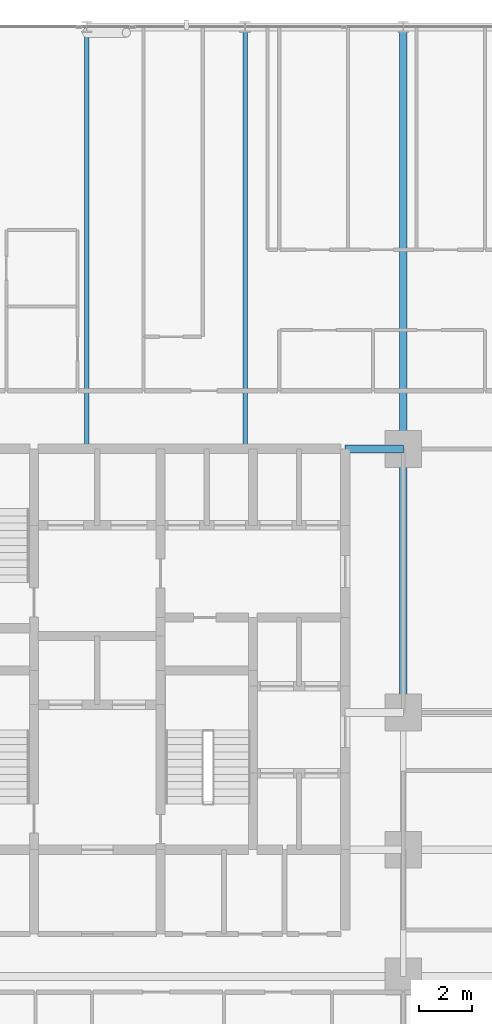
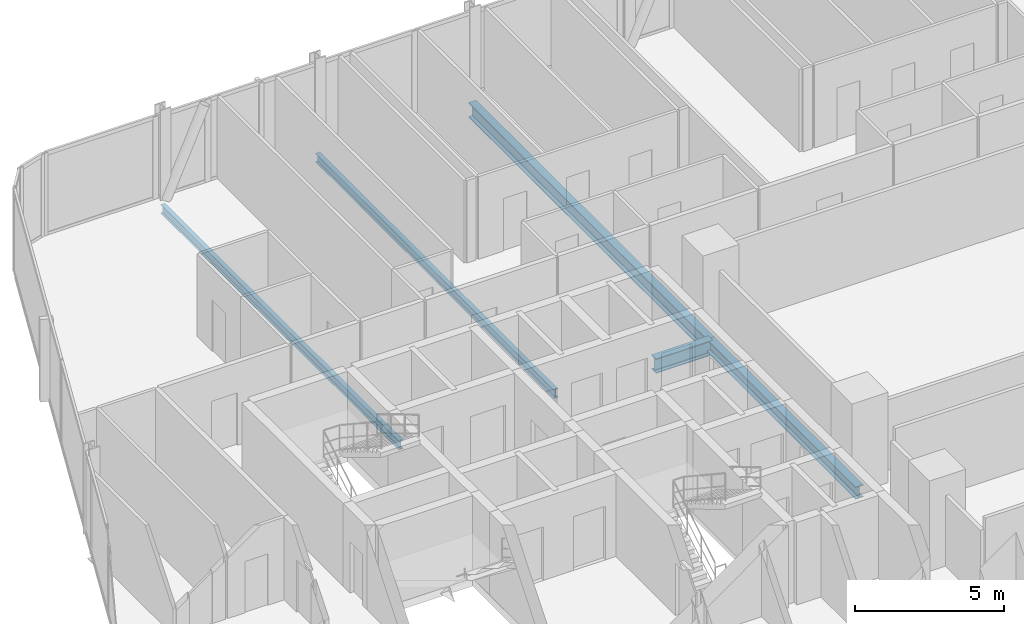
# One storey, part 12 of 34: 5 beams.
"""IFC4 building model written with IfcOpenShell, lengths in metres."""

from ifc_helpers import new_model, si_unit, direction, frame, origin, origin_2d, place, context, subcontext, project, spatial, i_section, extrude, material, material_profile, profile_set, type_object, element, save


model = new_model("IFC4")

# Units and contexts
model_context = context("Model", 3, precision=1e-05, world=origin(), true_north=direction((0.0, 1.0)))
body_context = subcontext(model_context, "Body", "Model", "MODEL_VIEW")
ifc_project = project(units=[si_unit("LENGTHUNIT", "METRE"), si_unit("AREAUNIT", "SQUARE_METRE"), si_unit("VOLUMEUNIT", "CUBIC_METRE"), si_unit("PLANEANGLEUNIT", "RADIAN"), si_unit("MASSUNIT", "GRAM", prefix="KILO")], contexts=[model_context])

# Site, building, storey
site_placement = place(None, origin())
site = spatial("IfcSite", under=ifc_project, at=site_placement, CompositionType="ELEMENT")
building_placement = place(site_placement, origin())
building = spatial("IfcBuilding", under=site, at=building_placement, Name="Keshet Zoharim Tower", CompositionType="ELEMENT")
storey_placement = place(building_placement, frame((0.0, 0.0, 38.800048828125)))
storey = spatial("IfcBuildingStorey", under=building, at=storey_placement, Name="L08", CompositionType="ELEMENT", Elevation=38.800048828125)

# Beams
ifc_material = material(Name="Steel S355", Category="steel")
ifc_material_profile_1 = material_profile(ifc_material, i_section(OverallWidth=0.300048828125, OverallDepth=0.60009765625, WebThickness=0.015380859375, FlangeThickness=0.030029296875, FilletRadius=0.027099609375, at=origin_2d()), Name="HEB600")
ifc_profile_set_1 = profile_set([ifc_material_profile_1], Name="Steel S355")
beam_type_1 = type_object("IfcBeamType", Name="BM-CLK-HB600", PredefinedType="BEAM", material=ifc_profile_set_1)
beam_1_placement = place(storey_placement, frame((30.800048828125, 37.89990234375, -0.614990234375), z_axis=(1.0, 0.0, 0.0), x_axis=(0.0, 1.0, 0.0)))
element("IfcBeam", 1, at=beam_1_placement, inside=storey, type_object=beam_type_1, Name="L08 Core Wall Link Girder 03", PredefinedType="BEAM", context=body_context, shape_type="SweptSolid", body=[
    extrude(i_section(OverallWidth=0.300048828125, OverallDepth=0.60009765625, WebThickness=0.015380859375, FlangeThickness=0.030029296875, FilletRadius=0.027099609375, at=origin_2d()), origin(), (0.0, 0.0, 1.0), 2.199951171875),
])
ifc_material_profile_2 = material_profile(ifc_material, i_section(OverallWidth=0.169921875, OverallDepth=0.360107421875, WebThickness=0.008056640625, FlangeThickness=0.0126953125, FilletRadius=0.01806640625, at=origin_2d()), Name="IPE360")
ifc_profile_set_2 = profile_set([ifc_material_profile_2], Name="Steel S355")
beam_type_2 = type_object("IfcBeamType", Name="BM-JST-IP360", PredefinedType="JOIST", material=ifc_profile_set_2)
for number, where, z_axis, x_axis, name in (
    (2, (21.0, 37.89990234375, -0.4951171875), (0.0, 1.0, 0.0), (-1.0, 0.0, 0.0), "L08 Secondary Floor Joist J-001"),
    (3, (27.0, 37.89990234375, -0.4951171875), (0.0, 1.0, 0.0), (-1.0, 0.0, 0.0), "L08 Secondary Floor Joist J-002"),
):
    element("IfcBeam", number, at=place(storey_placement, frame(where, z_axis=z_axis, x_axis=x_axis)), inside=storey, type_object=beam_type_2, Name=name, PredefinedType="JOIST", context=body_context, shape_type="SweptSolid", body=[
        extrude(i_section(OverallWidth=0.169921875, OverallDepth=0.360107421875, WebThickness=0.008056640625, FlangeThickness=0.0126953125, FilletRadius=0.01806640625, at=origin_2d()), origin(), (0.0, 0.0, 1.0), 16.0),
    ])
ifc_material_profile_3 = material_profile(ifc_material, i_section(OverallWidth=0.300048828125, OverallDepth=0.60009765625, WebThickness=0.015380859375, FlangeThickness=0.030029296875, FilletRadius=0.027099609375, at=origin_2d()), Name="HEB600")
ifc_profile_set_3 = profile_set([ifc_material_profile_3], Name="Steel S355")
beam_type_3 = type_object("IfcBeamType", Name="BM-LNG-HB600", PredefinedType="BEAM", material=ifc_profile_set_3)
beam_2_placement = place(storey_placement, frame((33.0, 37.89990234375, -0.614990234375), z_axis=(0.0, 1.0, 0.0), x_axis=(-1.0, 0.0, 0.0)))
element("IfcBeam", 4, at=beam_2_placement, inside=storey, type_object=beam_type_3, Name="L08 Primary Girder Y-011", PredefinedType="BEAM", context=body_context, shape_type="SweptSolid", body=[
    extrude(i_section(OverallWidth=0.300048828125, OverallDepth=0.60009765625, WebThickness=0.015380859375, FlangeThickness=0.030029296875, FilletRadius=0.027099609375, at=origin_2d()), origin(), (0.0, 0.0, 1.0), 16.0),
])
ifc_material_profile_4 = material_profile(ifc_material, i_section(OverallWidth=0.300048828125, OverallDepth=0.5, WebThickness=0.014404296875, FlangeThickness=0.028076171875, FilletRadius=0.027099609375, at=origin_2d()), Name="HEB500")
ifc_profile_set_4 = profile_set([ifc_material_profile_4], Name="Steel S355")
beam_type_4 = type_object("IfcBeamType", Name="BM-MED-HB500", PredefinedType="BEAM", material=ifc_profile_set_4)
beam_3_placement = place(storey_placement, frame((33.0, 27.89990234375, -0.56494140625), z_axis=(0.0, 1.0, 0.0), x_axis=(-1.0, 0.0, 0.0)))
element("IfcBeam", 5, at=beam_3_placement, inside=storey, type_object=beam_type_4, Name="L08 Primary Girder Y-010", PredefinedType="BEAM", context=body_context, shape_type="SweptSolid", body=[
    extrude(i_section(OverallWidth=0.300048828125, OverallDepth=0.5, WebThickness=0.014404296875, FlangeThickness=0.028076171875, FilletRadius=0.027099609375, at=origin_2d()), origin(), (0.0, 0.0, 1.0), 10.0),
])

save(model, "model.ifc")
